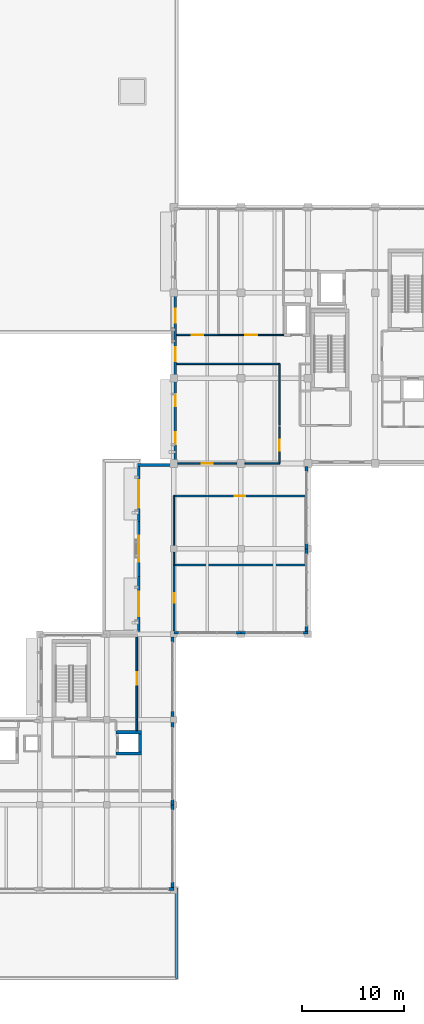
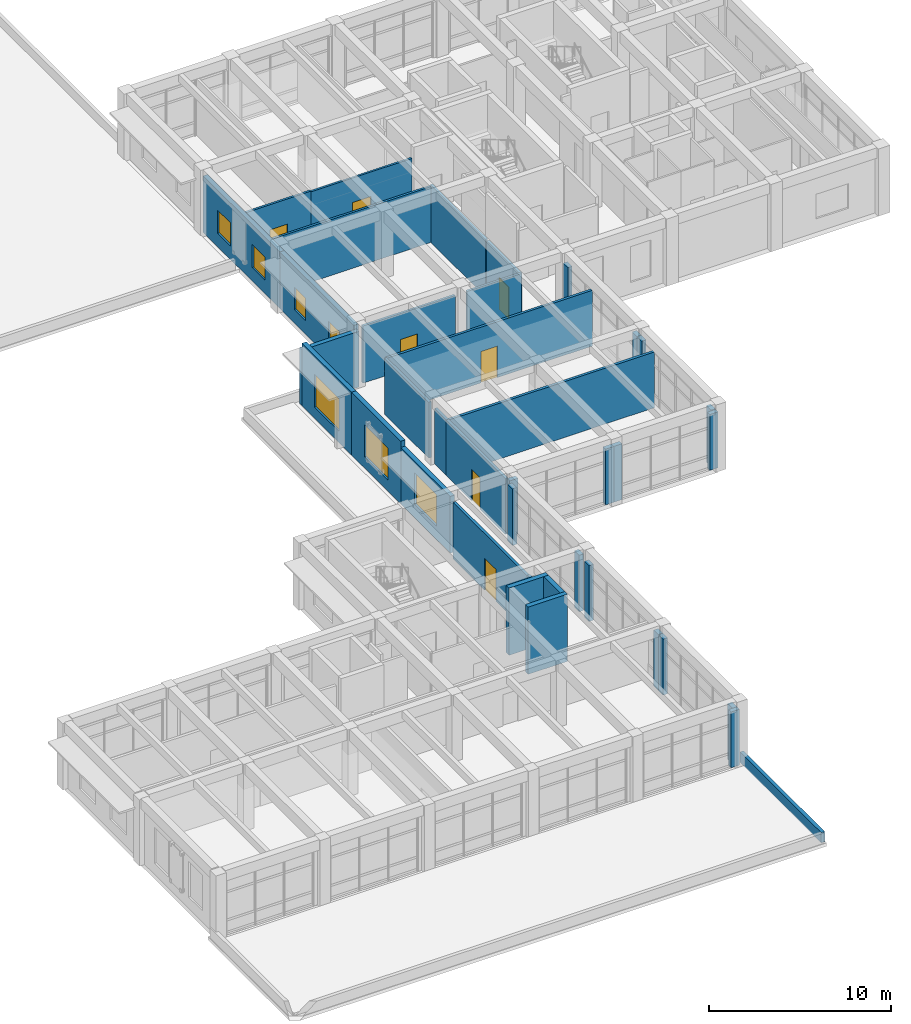
# One storey, part 32 of 50: 39 walls, 7 doors, 7 windows, 14 openings.
"""IFC4 building model written with IfcOpenShell, lengths in metres."""

from ifc_helpers import new_model, si_unit, direction, frame, frame_2d, origin, place, context, subcontext, project, spatial, rectangle, extrude, material, layer, layer_set, type_object, element, fill, save


model = new_model("IFC4")

# Units and contexts
model_context = context("Model", 3, precision=1e-05, world=origin(), true_north=direction((0.0, 1.0)))
body_context = subcontext(model_context, "Body", "Model", "MODEL_VIEW")
ifc_project = project(units=[si_unit("LENGTHUNIT", "METRE"), si_unit("AREAUNIT", "SQUARE_METRE"), si_unit("VOLUMEUNIT", "CUBIC_METRE"), si_unit("PLANEANGLEUNIT", "RADIAN"), si_unit("MASSUNIT", "GRAM", prefix="KILO")], contexts=[model_context])

# Site, building, storey
site_placement = place(None, origin())
site = spatial("IfcSite", under=ifc_project, at=site_placement, CompositionType="ELEMENT")
building_placement = place(site_placement, origin())
building = spatial("IfcBuilding", under=site, at=building_placement, Name="Kolvaren Faculty of Natural Sciences", CompositionType="ELEMENT")
storey_placement = place(building_placement, frame((0.0, 0.0, 15.0)))
storey = spatial("IfcBuildingStorey", under=building, at=storey_placement, Name="L03", CompositionType="ELEMENT", Elevation=15.0)

# Wall, opening, door
ifc_material_1 = material(Name="Acoustic mineral-wool insulated gypsum partition")
ifc_layer_1 = layer(ifc_material_1, 0.159912109375)
ifc_layer_set_1 = layer_set([ifc_layer_1], Name="Acoustic mineral-wool insulated gypsum partition")
wall_type_1 = type_object("IfcWallType", Name="ClassroomPartitionWall_160", PredefinedType="PARTITIONING", material=ifc_layer_set_1)
wall_1_placement = place(storey_placement, frame((138.800048828125, 55.800048828125, 0.0), z_axis=(0.0, 0.0, 1.0), x_axis=(1.0, 0.0, 0.0)))
wall_1 = element("IfcWall", 1, at=wall_1_placement, inside=storey, type_object=wall_type_1, Name="L03 interior partition PW-160", PredefinedType="PARTITIONING", context=body_context, shape_type="SweptSolid", body=[
    extrude(rectangle(XDim=13.0400390625, YDim=0.159912109375, at=frame_2d((6.52001953125, 0.0))), origin(), (0.0, 0.0, 1.0), 3.735107421875),
])
opening_1_placement = place(wall_1_placement, frame((6.0048828125, 0.0, 0.0)))
opening_1 = element("IfcOpeningElement", 2, at=opening_1_placement, cuts=wall_1, Name="Opening ID-15", PredefinedType="OPENING", context=body_context, shape_type="SweptSolid", body=[
    extrude(rectangle(XDim=1.030029296875, YDim=2.10009765625, at=frame_2d((0.51513671875, 1.050048828125))), frame((0.0, 0.08984375, 0.0), z_axis=(0.0, -1.0, 0.0), x_axis=(1.0, 0.0, 0.0)), (0.0, 0.0, 1.0), 0.179931640625),
])
ifc_material_2 = material(Name="Solid-core hardwood veneer door leaf in steel frame", Category="steel")
door_type_1 = type_object("IfcDoorType", Name="InteriorRoomDoor_1030x2100", OperationType="NOTDEFINED", PredefinedType="DOOR", material=ifc_material_2)
door_1_placement = place(opening_1_placement, origin())
door_1 = element("IfcDoor", 3, at=door_1_placement, inside=storey, type_object=door_type_1, Name="D-L03-0249", OperationType="SINGLE_SWING_RIGHT", OverallHeight=2.10009765625, OverallWidth=1.030029296875, PredefinedType="DOOR", context=body_context, shape_type="SweptSolid", body=[
    extrude(rectangle(XDim=1.030029296875, YDim=2.10009765625, at=frame_2d((0.51513671875, 1.050048828125))), frame((0.0, 0.02490234375, 0.0), z_axis=(0.0, -1.0, 0.0), x_axis=(1.0, 0.0, 0.0)), (0.0, 0.0, 1.0), 0.050048828125),
])
fill(opening_1, door_1)

# Walls
wall_2_placement = place(storey_placement, frame((138.800048828125, 49.0, 0.0), z_axis=(0.0, 0.0, 1.0), x_axis=(0.0, 1.0, 0.0)))
element("IfcWall", 4, at=wall_2_placement, inside=storey, type_object=wall_type_1, Name="L03 interior partition PW-160", PredefinedType="PARTITIONING", context=body_context, shape_type="SweptSolid", body=[
    extrude(rectangle(XDim=1.27490234375, YDim=0.159912109375, at=frame_2d((0.637451171875, 0.0))), origin(), (0.0, 0.0, 1.0), 3.735107421875),
])
wall_3_placement = place(storey_placement, frame((138.800048828125, 50.925048828125, 0.0), z_axis=(0.0, 0.0, 1.0), x_axis=(0.0, 1.0, 0.0)))
element("IfcWall", 5, at=wall_3_placement, inside=storey, type_object=wall_type_1, Name="L03 interior partition PW-160", PredefinedType="PARTITIONING", context=body_context, shape_type="SweptSolid", body=[
    extrude(rectangle(XDim=4.875, YDim=0.159912109375, at=frame_2d((2.4375, 0.0))), origin(), (0.0, 0.0, 1.0), 3.735107421875),
])

# Wall, opening, door
ifc_layer_2 = layer(ifc_material_1, 0.139892578125)
ifc_layer_set_2 = layer_set([ifc_layer_2], Name="Acoustic mineral-wool insulated gypsum partition")
wall_type_2 = type_object("IfcWallType", Name="CommonsPartitionWall_140", PredefinedType="PARTITIONING", material=ifc_layer_set_2)
wall_4_placement = place(storey_placement, frame((143.199951171875, 71.64990234375, 0.0), z_axis=(0.0, 0.0, 1.0), x_axis=(-1.0, 0.0, 0.0)))
wall_4 = element("IfcWall", 6, at=wall_4_placement, inside=storey, type_object=wall_type_2, Name="L03 interior partition PW-140", PredefinedType="PARTITIONING", context=body_context, shape_type="SweptSolid", body=[
    extrude(rectangle(XDim=4.117919921875, YDim=0.139892578125, at=frame_2d((2.05908203125, 0.0))), origin(), (0.0, 0.0, 1.0), 3.784912109375),
])
opening_2_placement = place(wall_4_placement, frame((1.4990234375, 0.0, 0.0)))
opening_2 = element("IfcOpeningElement", 7, at=opening_2_placement, cuts=wall_4, Name="Opening ID-17", PredefinedType="OPENING", context=body_context, shape_type="SweptSolid", body=[
    extrude(rectangle(XDim=1.1201171875, YDim=2.10009765625, at=frame_2d((0.56005859375, 1.050048828125))), frame((0.0, 0.079833984375, 0.0), z_axis=(0.0, -1.0, 0.0), x_axis=(1.0, 0.0, 0.0)), (0.0, 0.0, 1.0), 0.159912109375),
])
door_type_2 = type_object("IfcDoorType", Name="InteriorRoomDoor_1120x2100", OperationType="NOTDEFINED", PredefinedType="DOOR", material=ifc_material_2)
door_2_placement = place(opening_2_placement, origin())
door_2 = element("IfcDoor", 8, at=door_2_placement, inside=storey, type_object=door_type_2, Name="D-L03-0252", OperationType="SINGLE_SWING_LEFT", OverallHeight=2.10009765625, OverallWidth=1.1201171875, PredefinedType="DOOR", context=body_context, shape_type="SweptSolid", body=[
    extrude(rectangle(XDim=1.1201171875, YDim=2.10009765625, at=frame_2d((0.56005859375, 1.050048828125))), frame((0.0, 0.02490234375, 0.0), z_axis=(0.0, -1.0, 0.0), x_axis=(1.0, 0.0, 0.0)), (0.0, 0.0, 1.0), 0.050048828125),
])
fill(opening_2, door_2)

ifc_layer_3 = layer(ifc_material_1, 0.14501953125)
ifc_layer_set_3 = layer_set([ifc_layer_3], Name="Acoustic mineral-wool insulated gypsum partition")
wall_type_3 = type_object("IfcWallType", Name="CommonsPartitionWall_145", PredefinedType="PARTITIONING", material=ifc_layer_set_3)
wall_5_placement = place(storey_placement, frame((149.199951171875, 62.60009765625, 0.0), z_axis=(0.0, 0.0, 1.0), x_axis=(0.0, -1.0, 0.0)))
wall_5 = element("IfcWall", 9, at=wall_5_placement, inside=storey, type_object=wall_type_3, Name="L03 interior partition PW-145", PredefinedType="PARTITIONING", context=body_context, shape_type="SweptSolid", body=[
    extrude(rectangle(XDim=3.60009765625, YDim=0.14501953125, at=frame_2d((1.800048828125, 0.0))), origin(), (0.0, 0.0, 1.0), 3.8349609375),
])
opening_3_placement = place(wall_5_placement, frame((1.264892578125, 0.0, 0.0)))
opening_3 = element("IfcOpeningElement", 10, at=opening_3_placement, cuts=wall_5, Name="Opening ID-16", PredefinedType="OPENING", context=body_context, shape_type="SweptSolid", body=[
    extrude(rectangle(XDim=1.070068359375, YDim=2.10009765625, at=frame_2d((0.53515625, 1.050048828125))), frame((0.0, 0.08251953125, 0.0), z_axis=(0.0, -1.0, 0.0), x_axis=(1.0, 0.0, 0.0)), (0.0, 0.0, 1.0), 0.1650390625),
])
door_type_3 = type_object("IfcDoorType", Name="InteriorRoomDoor_1070x2100", OperationType="NOTDEFINED", PredefinedType="DOOR", material=ifc_material_2)
door_3_placement = place(opening_3_placement, origin())
door_3 = element("IfcDoor", 11, at=door_3_placement, inside=storey, type_object=door_type_3, Name="D-L03-0251", OperationType="SINGLE_SWING_RIGHT", OverallHeight=2.10009765625, OverallWidth=1.070068359375, PredefinedType="DOOR", context=body_context, shape_type="SweptSolid", body=[
    extrude(rectangle(XDim=1.070068359375, YDim=2.10009765625, at=frame_2d((0.53515625, 1.050048828125))), frame((0.0, 0.02490234375, 0.0), z_axis=(0.0, -1.0, 0.0), x_axis=(1.0, 0.0, 0.0)), (0.0, 0.0, 1.0), 0.050048828125),
])
fill(opening_3, door_3)

# Wall
wall_6_placement = place(storey_placement, frame((149.199951171875, 59.0, 0.0), z_axis=(0.0, 0.0, 1.0), x_axis=(-1.0, 0.0, 0.0)))
element("IfcWall", 12, at=wall_6_placement, inside=storey, type_object=wall_type_3, Name="L03 interior partition PW-145", PredefinedType="PARTITIONING", context=body_context, shape_type="SweptSolid", body=[
    extrude(rectangle(XDim=3.425048828125, YDim=0.14501953125, at=frame_2d((1.71240234375, 0.0))), origin(), (0.0, 0.0, 1.0), 3.8349609375),
])

# Wall, opening, door
wall_7_placement = place(storey_placement, frame((145.02490234375, 59.0, 0.0), z_axis=(0.0, 0.0, 1.0), x_axis=(-1.0, 0.0, 0.0)))
wall_7 = element("IfcWall", 13, at=wall_7_placement, inside=storey, type_object=wall_type_3, Name="L03 interior partition PW-145", PredefinedType="PARTITIONING", context=body_context, shape_type="SweptSolid", body=[
    extrude(rectangle(XDim=5.849853515625, YDim=0.14501953125, at=frame_2d((2.9248046875, 0.0))), origin(), (0.0, 0.0, 1.0), 3.8349609375),
])
opening_4_placement = place(wall_7_placement, frame((2.389892578125, 0.0, 0.0)))
opening_4 = element("IfcOpeningElement", 14, at=opening_4_placement, cuts=wall_7, Name="Opening ID-16", PredefinedType="OPENING", context=body_context, shape_type="SweptSolid", body=[
    extrude(rectangle(XDim=1.070068359375, YDim=2.10009765625, at=frame_2d((0.53515625, 1.050048828125))), frame((0.0, 0.08251953125, 0.0), z_axis=(0.0, -1.0, 0.0), x_axis=(1.0, 0.0, 0.0)), (0.0, 0.0, 1.0), 0.1650390625),
])
door_4_placement = place(opening_4_placement, origin())
door_4 = element("IfcDoor", 15, at=door_4_placement, inside=storey, type_object=door_type_3, Name="D-L03-0250", OperationType="SINGLE_SWING_LEFT", OverallHeight=2.10009765625, OverallWidth=1.070068359375, PredefinedType="DOOR", context=body_context, shape_type="SweptSolid", body=[
    extrude(rectangle(XDim=1.070068359375, YDim=2.10009765625, at=frame_2d((0.53515625, 1.050048828125))), frame((0.0, 0.02490234375, 0.0), z_axis=(0.0, -1.0, 0.0), x_axis=(1.0, 0.0, 0.0)), (0.0, 0.0, 1.0), 0.050048828125),
])
fill(opening_4, door_4)

# Walls
wall_8_placement = place(storey_placement, frame((139.08203125, 68.800048828125, 0.0), z_axis=(0.0, 0.0, 1.0), x_axis=(1.0, 0.0, 0.0)))
element("IfcWall", 16, at=wall_8_placement, inside=storey, type_object=wall_type_3, Name="L03 interior partition PW-145", PredefinedType="PARTITIONING", context=body_context, shape_type="SweptSolid", body=[
    extrude(rectangle(XDim=10.117919921875, YDim=0.14501953125, at=frame_2d((5.05908203125, 0.0))), origin(), (0.0, 0.0, 1.0), 3.735107421875),
])
wall_9_placement = place(storey_placement, frame((149.199951171875, 68.800048828125, 0.0), z_axis=(0.0, 0.0, 1.0), x_axis=(0.0, -1.0, 0.0)))
element("IfcWall", 17, at=wall_9_placement, inside=storey, type_object=wall_type_3, Name="L03 interior partition PW-145", PredefinedType="PARTITIONING", context=body_context, shape_type="SweptSolid", body=[
    extrude(rectangle(XDim=6.050048828125, YDim=0.14501953125, at=frame_2d((3.02490234375, 0.0))), origin(), (0.0, 0.0, 1.0), 3.8349609375),
])

# Wall, opening, window
ifc_material_3 = material(Name="Precast concrete C35/45", Category="concrete")
ifc_layer_4 = layer(ifc_material_3, 0.280029296875)
ifc_layer_set_4 = layer_set([ifc_layer_4], Name="Precast concrete C35/45")
wall_type_4 = type_object("IfcWallType", Name="ExteriorPrecastWall_280", PredefinedType="STANDARD", material=ifc_layer_set_4)
wall_10_placement = place(storey_placement, frame((135.340087890625, 42.47998046875, 0.0), z_axis=(0.0, 0.0, 1.0), x_axis=(0.0, 1.0, 0.0)))
wall_10 = element("IfcWall", 18, at=wall_10_placement, inside=storey, type_object=wall_type_4, Name="L03 exterior masonry wall EW-280 (502)", PredefinedType="STANDARD", context=body_context, shape_type="SweptSolid", body=[
    extrude(rectangle(XDim=5.413330078125, YDim=0.280029296875, at=frame_2d((2.70654296875, 0.0))), origin(), (0.0, 0.0, 1.0), 3.784912109375),
])
opening_5_placement = place(wall_10_placement, frame((1.506591796875, 0.0, 0.89990234375)))
opening_5 = element("IfcOpeningElement", 19, at=opening_5_placement, cuts=wall_10, Name="Opening WIN-09", PredefinedType="OPENING", context=body_context, shape_type="SweptSolid", body=[
    extrude(rectangle(XDim=2.39990234375, YDim=2.10009765625, at=frame_2d((1.199951171875, 1.050048828125))), frame((0.0, 0.14990234375, 0.0), z_axis=(0.0, -1.0, 0.0), x_axis=(1.0, 0.0, 0.0)), (0.0, 0.0, 1.0), 0.300048828125),
])
ifc_material_4 = material(Name="Double low-E solar control insulated glazing", Category="glass")
window_type_1 = type_object("IfcWindowType", Name="AluWindow_WIN09_2400x2100", PartitioningType="SINGLE_PANEL", PredefinedType="WINDOW", material=ifc_material_4)
window_1_placement = place(opening_5_placement, origin())
window_1 = element("IfcWindow", 20, at=window_1_placement, inside=storey, type_object=window_type_1, Name="WIN-L03-0320", OverallHeight=2.10009765625, OverallWidth=2.39990234375, PartitioningType="SINGLE_PANEL", PredefinedType="WINDOW", context=body_context, shape_type="SweptSolid", body=[
    extrude(rectangle(XDim=2.39990234375, YDim=2.10009765625, at=frame_2d((1.199951171875, 1.050048828125))), frame((0.0, 0.030029296875, 0.0), z_axis=(0.0, -1.0, 0.0), x_axis=(1.0, 0.0, 0.0)), (0.0, 0.0, 1.0), 0.06005859375),
])
fill(opening_5, window_1)

wall_11_placement = place(storey_placement, frame((135.340087890625, 47.893310546875, 0.0), z_axis=(0.0, 0.0, 1.0), x_axis=(0.0, 1.0, 0.0)))
wall_11 = element("IfcWall", 21, at=wall_11_placement, inside=storey, type_object=wall_type_4, Name="L03 exterior masonry wall EW-280 (503)", PredefinedType="STANDARD", context=body_context, shape_type="SweptSolid", body=[
    extrude(rectangle(XDim=5.413330078125, YDim=0.280029296875, at=frame_2d((2.70654296875, 0.0))), origin(), (0.0, 0.0, 1.0), 4.199951171875),
])
opening_6_placement = place(wall_11_placement, frame((1.431640625, 0.0, 0.75)))
opening_6 = element("IfcOpeningElement", 22, at=opening_6_placement, cuts=wall_11, Name="Opening WIN-10", PredefinedType="OPENING", context=body_context, shape_type="SweptSolid", body=[
    extrude(rectangle(XDim=2.550048828125, YDim=2.14990234375, at=frame_2d((1.27490234375, 1.074951171875))), frame((0.0, 0.14990234375, 0.0), z_axis=(0.0, -1.0, 0.0), x_axis=(1.0, 0.0, 0.0)), (0.0, 0.0, 1.0), 0.300048828125),
])
window_type_2 = type_object("IfcWindowType", Name="AluWindow_WIN10_2550x2150", PartitioningType="SINGLE_PANEL", PredefinedType="WINDOW", material=ifc_material_4)
window_2_placement = place(opening_6_placement, origin())
window_2 = element("IfcWindow", 23, at=window_2_placement, inside=storey, type_object=window_type_2, Name="WIN-L03-0321", OverallHeight=2.14990234375, OverallWidth=2.550048828125, PartitioningType="SINGLE_PANEL", PredefinedType="WINDOW", context=body_context, shape_type="SweptSolid", body=[
    extrude(rectangle(XDim=2.550048828125, YDim=2.14990234375, at=frame_2d((1.27490234375, 1.074951171875))), frame((0.0, 0.030029296875, 0.0), z_axis=(0.0, -1.0, 0.0), x_axis=(1.0, 0.0, 0.0)), (0.0, 0.0, 1.0), 0.06005859375),
])
fill(opening_6, window_2)

wall_12_placement = place(storey_placement, frame((135.340087890625, 53.306640625, 0.0), z_axis=(0.0, 0.0, 1.0), x_axis=(0.0, 1.0, 0.0)))
wall_12 = element("IfcWall", 24, at=wall_12_placement, inside=storey, type_object=wall_type_4, Name="L03 exterior masonry wall EW-280 (504)", PredefinedType="STANDARD", context=body_context, shape_type="SweptSolid", body=[
    extrude(rectangle(XDim=5.413330078125, YDim=0.280029296875, at=frame_2d((2.70654296875, 0.0))), origin(), (0.0, 0.0, 1.0), 4.199951171875),
])
opening_7_placement = place(wall_12_placement, frame((1.356689453125, 0.0, 0.75)))
opening_7 = element("IfcOpeningElement", 25, at=opening_7_placement, cuts=wall_12, Name="Opening WIN-11", PredefinedType="OPENING", context=body_context, shape_type="SweptSolid", body=[
    extrude(rectangle(XDim=2.699951171875, YDim=2.199951171875, at=frame_2d((1.35009765625, 1.10009765625))), frame((0.0, 0.14990234375, 0.0), z_axis=(0.0, -1.0, 0.0), x_axis=(1.0, 0.0, 0.0)), (0.0, 0.0, 1.0), 0.300048828125),
])
window_type_3 = type_object("IfcWindowType", Name="AluWindow_WIN11_2700x2200", PartitioningType="SINGLE_PANEL", PredefinedType="WINDOW", material=ifc_material_4)
window_3_placement = place(opening_7_placement, origin())
window_3 = element("IfcWindow", 26, at=window_3_placement, inside=storey, type_object=window_type_3, Name="WIN-L03-0322", OverallHeight=2.199951171875, OverallWidth=2.699951171875, PartitioningType="SINGLE_PANEL", PredefinedType="WINDOW", context=body_context, shape_type="SweptSolid", body=[
    extrude(rectangle(XDim=2.699951171875, YDim=2.199951171875, at=frame_2d((1.35009765625, 1.10009765625))), frame((0.0, 0.030029296875, 0.0), z_axis=(0.0, -1.0, 0.0), x_axis=(1.0, 0.0, 0.0)), (0.0, 0.0, 1.0), 0.06005859375),
])
fill(opening_7, window_3)

# Wall
wall_13_placement = place(storey_placement, frame((135.199951171875, 58.860107421875, 0.0), z_axis=(0.0, 0.0, 1.0), x_axis=(1.0, 0.0, 0.0)))
element("IfcWall", 27, at=wall_13_placement, inside=storey, type_object=wall_type_4, Name="L03 exterior masonry wall EW-280 (505)", PredefinedType="STANDARD", context=body_context, shape_type="SweptSolid", body=[
    extrude(rectangle(XDim=3.60009765625, YDim=0.280029296875, at=frame_2d((1.800048828125, 0.0))), origin(), (0.0, 0.0, 1.0), 3.735107421875),
])

# Wall, openings, windows
wall_14_placement = place(storey_placement, frame((138.93994140625, 59.280029296875, 0.0), z_axis=(0.0, 0.0, 1.0), x_axis=(0.0, 1.0, 0.0)))
wall_14 = element("IfcWall", 28, at=wall_14_placement, inside=storey, type_object=wall_type_4, Name="L03 exterior masonry wall EW-280 (506)", PredefinedType="STANDARD", context=body_context, shape_type="SweptSolid", body=[
    extrude(rectangle(XDim=8.119873046875, YDim=0.280029296875, at=frame_2d((4.06005859375, 0.0))), origin(), (0.0, 0.0, 1.0), 3.784912109375),
])
opening_8_placement = place(wall_14_placement, frame((1.59228515625, 0.0, 0.89990234375)))
opening_8 = element("IfcOpeningElement", 29, at=opening_8_placement, cuts=wall_14, Name="Opening WIN-13", PredefinedType="OPENING", context=body_context, shape_type="SweptSolid", body=[
    extrude(rectangle(XDim=1.199951171875, YDim=1.5, at=frame_2d((0.60009765625, 0.75))), frame((0.0, 0.14990234375, 0.0), z_axis=(0.0, -1.0, 0.0), x_axis=(1.0, 0.0, 0.0)), (0.0, 0.0, 1.0), 0.300048828125),
])
opening_9_placement = place(wall_14_placement, frame((5.32763671875, 0.0, 0.89990234375)))
opening_9 = element("IfcOpeningElement", 30, at=opening_9_placement, cuts=wall_14, Name="Opening WIN-13", PredefinedType="OPENING", context=body_context, shape_type="SweptSolid", body=[
    extrude(rectangle(XDim=1.199951171875, YDim=1.5, at=frame_2d((0.60009765625, 0.75))), frame((0.0, 0.14990234375, 0.0), z_axis=(0.0, -1.0, 0.0), x_axis=(1.0, 0.0, 0.0)), (0.0, 0.0, 1.0), 0.300048828125),
])
window_type_4 = type_object("IfcWindowType", Name="AluWindow_WIN13_1200x1500", PartitioningType="SINGLE_PANEL", PredefinedType="WINDOW", material=ifc_material_4)
window_4_placement = place(opening_8_placement, origin())
window_4 = element("IfcWindow", 31, at=window_4_placement, inside=storey, type_object=window_type_4, Name="WIN-L03-0323", OverallHeight=1.5, OverallWidth=1.199951171875, PartitioningType="SINGLE_PANEL", PredefinedType="WINDOW", context=body_context, shape_type="SweptSolid", body=[
    extrude(rectangle(XDim=1.199951171875, YDim=1.5, at=frame_2d((0.60009765625, 0.75))), frame((0.0, 0.030029296875, 0.0), z_axis=(0.0, -1.0, 0.0), x_axis=(1.0, 0.0, 0.0)), (0.0, 0.0, 1.0), 0.06005859375),
])
fill(opening_8, window_4)
window_5_placement = place(opening_9_placement, origin())
window_5 = element("IfcWindow", 32, at=window_5_placement, inside=storey, type_object=window_type_4, Name="WIN-L03-0324", OverallHeight=1.5, OverallWidth=1.199951171875, PartitioningType="SINGLE_PANEL", PredefinedType="WINDOW", context=body_context, shape_type="SweptSolid", body=[
    extrude(rectangle(XDim=1.199951171875, YDim=1.5, at=frame_2d((0.60009765625, 0.75))), frame((0.0, 0.030029296875, 0.0), z_axis=(0.0, -1.0, 0.0), x_axis=(1.0, 0.0, 0.0)), (0.0, 0.0, 1.0), 0.06005859375),
])
fill(opening_9, window_5)

wall_15_placement = place(storey_placement, frame((138.93994140625, 67.39990234375, 0.0), z_axis=(0.0, 0.0, 1.0), x_axis=(0.0, 1.0, 0.0)))
wall_15 = element("IfcWall", 33, at=wall_15_placement, inside=storey, type_object=wall_type_4, Name="L03 exterior masonry wall EW-280 (507)", PredefinedType="STANDARD", context=body_context, shape_type="SweptSolid", body=[
    extrude(rectangle(XDim=8.400146484375, YDim=0.280029296875, at=frame_2d((4.2001953125, 0.0))), origin(), (0.0, 0.0, 1.0), 3.784912109375),
])
opening_10_placement = place(wall_15_placement, frame((1.639892578125, 0.0, 0.89990234375)))
opening_10 = element("IfcOpeningElement", 34, at=opening_10_placement, cuts=wall_15, Name="Opening WIN-14", PredefinedType="OPENING", context=body_context, shape_type="SweptSolid", body=[
    extrude(rectangle(XDim=1.39990234375, YDim=1.550048828125, at=frame_2d((0.699951171875, 0.77490234375))), frame((0.0, 0.14990234375, 0.0), z_axis=(0.0, -1.0, 0.0), x_axis=(1.0, 0.0, 0.0)), (0.0, 0.0, 1.0), 0.300048828125),
])
opening_11_placement = place(wall_15_placement, frame((5.431884765625, 0.0, 0.89990234375)))
opening_11 = element("IfcOpeningElement", 35, at=opening_11_placement, cuts=wall_15, Name="Opening WIN-14", PredefinedType="OPENING", context=body_context, shape_type="SweptSolid", body=[
    extrude(rectangle(XDim=1.39990234375, YDim=1.550048828125, at=frame_2d((0.699951171875, 0.77490234375))), frame((0.0, 0.14990234375, 0.0), z_axis=(0.0, -1.0, 0.0), x_axis=(1.0, 0.0, 0.0)), (0.0, 0.0, 1.0), 0.300048828125),
])
window_type_5 = type_object("IfcWindowType", Name="AluWindow_WIN14_1400x1550", PartitioningType="SINGLE_PANEL", PredefinedType="WINDOW", material=ifc_material_4)
window_6_placement = place(opening_10_placement, origin())
window_6 = element("IfcWindow", 36, at=window_6_placement, inside=storey, type_object=window_type_5, Name="WIN-L03-0325", OverallHeight=1.550048828125, OverallWidth=1.39990234375, PartitioningType="SINGLE_PANEL", PredefinedType="WINDOW", context=body_context, shape_type="SweptSolid", body=[
    extrude(rectangle(XDim=1.39990234375, YDim=1.550048828125, at=frame_2d((0.699951171875, 0.77490234375))), frame((0.0, 0.030029296875, 0.0), z_axis=(0.0, -1.0, 0.0), x_axis=(1.0, 0.0, 0.0)), (0.0, 0.0, 1.0), 0.06005859375),
])
fill(opening_10, window_6)
window_7_placement = place(opening_11_placement, origin())
window_7 = element("IfcWindow", 37, at=window_7_placement, inside=storey, type_object=window_type_5, Name="WIN-L03-0326", OverallHeight=1.550048828125, OverallWidth=1.39990234375, PartitioningType="SINGLE_PANEL", PredefinedType="WINDOW", context=body_context, shape_type="SweptSolid", body=[
    extrude(rectangle(XDim=1.39990234375, YDim=1.550048828125, at=frame_2d((0.699951171875, 0.77490234375))), frame((0.0, 0.030029296875, 0.0), z_axis=(0.0, -1.0, 0.0), x_axis=(1.0, 0.0, 0.0)), (0.0, 0.0, 1.0), 0.06005859375),
])
fill(opening_11, window_7)

# Walls
for number, where, z_axis, x_axis, name in (
    (38, (151.860107421875, 58.719970703125, 0.0), (0.0, 0.0, 1.0), (0.0, -1.0, 0.0), "L03 curtain-wall pier stub 527"),
    (39, (151.860107421875, 51.1201171875, 0.0), (0.0, 0.0, 1.0), (0.0, -1.0, 0.0), "L03 curtain-wall pier stub 528"),
    (40, (151.860107421875, 50.60009765625, 0.0), (0.0, 0.0, 1.0), (0.0, -1.0, 0.0), "L03 curtain-wall pier stub 529"),
    (41, (151.860107421875, 43.0, 0.0), (0.0, 0.0, 1.0), (0.0, -1.0, 0.0), "L03 curtain-wall pier stub 530"),
):
    element("IfcWall", number, at=place(storey_placement, frame(where, z_axis=z_axis, x_axis=x_axis)), inside=storey, type_object=wall_type_4, Name=name, PredefinedType="STANDARD", context=body_context, shape_type="SweptSolid", body=[
        extrude(rectangle(XDim=0.52001953125, YDim=0.280029296875, at=frame_2d((0.260009765625, 0.0))), origin(), (0.0, 0.0, 1.0), 3.784912109375),
    ])
for number, where, z_axis, x_axis, name in (
    (42, (152.0, 42.340087890625, 0.0), (0.0, 0.0, 1.0), (-1.0, 0.0, 0.0), "L03 curtain-wall pier stub 531"),
    (43, (145.919921875, 42.340087890625, 0.0), (0.0, 0.0, 1.0), (-1.0, 0.0, 0.0), "L03 curtain-wall pier stub 532"),
    (44, (145.39990234375, 42.340087890625, 0.0), (0.0, 0.0, 1.0), (-1.0, 0.0, 0.0), "L03 curtain-wall pier stub 533"),
    (45, (139.320068359375, 42.340087890625, 0.0), (0.0, 0.0, 1.0), (-1.0, 0.0, 0.0), "L03 curtain-wall pier stub 534"),
):
    element("IfcWall", number, at=place(storey_placement, frame(where, z_axis=z_axis, x_axis=x_axis)), inside=storey, type_object=wall_type_4, Name=name, PredefinedType="STANDARD", context=body_context, shape_type="SweptSolid", body=[
        extrude(rectangle(XDim=0.52001953125, YDim=0.280029296875, at=frame_2d((0.260009765625, 0.0))), origin(), (0.0, 0.0, 1.0), 3.735107421875),
    ])
for number, where, z_axis, x_axis, name in (
    (46, (138.659912109375, 41.919921875, 0.0), (0.0, 0.0, 1.0), (0.0, -1.0, 0.0), "L03 curtain-wall pier stub 535"),
    (47, (138.659912109375, 34.60009765625, 0.0), (0.0, 0.0, 1.0), (0.0, -1.0, 0.0), "L03 curtain-wall pier stub 536"),
):
    element("IfcWall", number, at=place(storey_placement, frame(where, z_axis=z_axis, x_axis=x_axis)), inside=storey, type_object=wall_type_4, Name=name, PredefinedType="STANDARD", context=body_context, shape_type="SweptSolid", body=[
        extrude(rectangle(XDim=0.52001953125, YDim=0.280029296875, at=frame_2d((0.260009765625, 0.0))), origin(), (0.0, 0.0, 1.0), 3.784912109375),
    ])
for number, where, z_axis, x_axis, name in (
    (48, (138.659912109375, 33.52001953125, 0.0), (0.0, 0.0, 1.0), (0.0, -1.0, 0.0), "L03 curtain-wall pier stub 537"),
    (49, (138.659912109375, 25.919921875, 0.0), (0.0, 0.0, 1.0), (0.0, -1.0, 0.0), "L03 curtain-wall pier stub 538"),
    (50, (138.659912109375, 25.39990234375, 0.0), (0.0, 0.0, 1.0), (0.0, -1.0, 0.0), "L03 curtain-wall pier stub 539"),
    (51, (138.659912109375, 17.800048828125, 0.0), (0.0, 0.0, 1.0), (0.0, -1.0, 0.0), "L03 curtain-wall pier stub 540"),
    (52, (138.800048828125, 17.139892578125, 0.0), (0.0, 0.0, 1.0), (-1.0, 0.0, 0.0), "L03 curtain-wall pier stub 541"),
):
    element("IfcWall", number, at=place(storey_placement, frame(where, z_axis=z_axis, x_axis=x_axis)), inside=storey, type_object=wall_type_4, Name=name, PredefinedType="STANDARD", context=body_context, shape_type="SweptSolid", body=[
        extrude(rectangle(XDim=0.52001953125, YDim=0.280029296875, at=frame_2d((0.260009765625, 0.0))), origin(), (0.0, 0.0, 1.0), 3.735107421875),
    ])

# Wall, opening, door
ifc_layer_5 = layer(ifc_material_1, 0.1298828125)
ifc_layer_set_5 = layer_set([ifc_layer_5], Name="Acoustic mineral-wool insulated gypsum partition")
wall_type_5 = type_object("IfcWallType", Name="OfficePartitionWall_130", PredefinedType="PARTITIONING", material=ifc_layer_set_5)
wall_16_placement = place(storey_placement, frame((149.60009765625, 71.64990234375, 0.0), z_axis=(0.0, 0.0, 1.0), x_axis=(-1.0, 0.0, 0.0)))
wall_16 = element("IfcWall", 53, at=wall_16_placement, inside=storey, type_object=wall_type_5, Name="L03 interior partition PW-130", PredefinedType="PARTITIONING", context=body_context, shape_type="SweptSolid", body=[
    extrude(rectangle(XDim=6.400146484375, YDim=0.1298828125, at=frame_2d((3.2001953125, 0.0))), origin(), (0.0, 0.0, 1.0), 3.735107421875),
])
opening_12_placement = place(wall_16_placement, frame((2.610107421875, 0.0, 0.0)))
opening_12 = element("IfcOpeningElement", 54, at=opening_12_placement, cuts=wall_16, Name="Opening ID-18", PredefinedType="OPENING", context=body_context, shape_type="SweptSolid", body=[
    extrude(rectangle(XDim=1.179931640625, YDim=2.10009765625, at=frame_2d((0.58984375, 1.050048828125))), frame((0.0, 0.074951171875, 0.0), z_axis=(0.0, -1.0, 0.0), x_axis=(1.0, 0.0, 0.0)), (0.0, 0.0, 1.0), 0.14990234375),
])
door_type_4 = type_object("IfcDoorType", Name="InteriorRoomDoor_1180x2100", OperationType="NOTDEFINED", PredefinedType="DOOR", material=ifc_material_2)
door_5_placement = place(opening_12_placement, origin())
door_5 = element("IfcDoor", 55, at=door_5_placement, inside=storey, type_object=door_type_4, Name="D-L03-0253", OperationType="SINGLE_SWING_RIGHT", OverallHeight=2.10009765625, OverallWidth=1.179931640625, PredefinedType="DOOR", context=body_context, shape_type="SweptSolid", body=[
    extrude(rectangle(XDim=1.179931640625, YDim=2.10009765625, at=frame_2d((0.58984375, 1.050048828125))), frame((0.0, 0.02490234375, 0.0), z_axis=(0.0, -1.0, 0.0), x_axis=(1.0, 0.0, 0.0)), (0.0, 0.0, 1.0), 0.050048828125),
])
fill(opening_12, door_5)

# Wall
ifc_layer_6 = layer(ifc_material_3, 0.219970703125)
ifc_layer_set_6 = layer_set([ifc_layer_6], Name="Precast concrete C35/45")
wall_type_6 = type_object("IfcWallType", Name="ParapetUpstandWall_220", PredefinedType="PARAPET", material=ifc_layer_set_6)
wall_17_placement = place(storey_placement, frame((139.080078125, 17.22998046875, 0.0), z_axis=(0.0, 0.0, 1.0), x_axis=(0.0, -1.0, 0.0)))
element("IfcWall", 56, at=wall_17_placement, inside=storey, type_object=wall_type_6, Name="L03 architectural sandstone roof parapet 38", PredefinedType="PARAPET", context=body_context, shape_type="SweptSolid", body=[
    extrude(rectangle(XDim=8.909912109375, YDim=0.219970703125, at=frame_2d((4.455078125, 0.0))), origin(), (0.0, 0.0, 1.0), 0.679931640625),
])

# Wall, opening, door
ifc_layer_7 = layer(ifc_material_1, 0.169921875)
ifc_layer_set_7 = layer_set([ifc_layer_7], Name="Acoustic mineral-wool insulated gypsum partition")
wall_type_7 = type_object("IfcWallType", Name="SeminarPartitionWall_170", PredefinedType="PARTITIONING", material=ifc_layer_set_7)
wall_18_placement = place(storey_placement, frame((138.800048828125, 42.52490234375, 0.0), z_axis=(0.0, 0.0, 1.0), x_axis=(0.0, 1.0, 0.0)))
wall_18 = element("IfcWall", 57, at=wall_18_placement, inside=storey, type_object=wall_type_7, Name="L03 interior partition PW-170", PredefinedType="PARTITIONING", context=body_context, shape_type="SweptSolid", body=[
    extrude(rectangle(XDim=6.47509765625, YDim=0.169921875, at=frame_2d((3.237548828125, 0.0))), origin(), (0.0, 0.0, 1.0), 3.735107421875),
])
opening_13_placement = place(wall_18_placement, frame((2.75244140625, 0.0, 0.0)))
opening_13 = element("IfcOpeningElement", 58, at=opening_13_placement, cuts=wall_18, Name="Opening ID-14", PredefinedType="OPENING", context=body_context, shape_type="SweptSolid", body=[
    extrude(rectangle(XDim=0.969970703125, YDim=2.10009765625, at=frame_2d((0.48486328125, 1.050048828125))), frame((0.0, 0.094970703125, 0.0), z_axis=(0.0, -1.0, 0.0), x_axis=(1.0, 0.0, 0.0)), (0.0, 0.0, 1.0), 0.18994140625),
])
door_type_5 = type_object("IfcDoorType", Name="InteriorRoomDoor_970x2100", OperationType="NOTDEFINED", PredefinedType="DOOR", material=ifc_material_2)
door_6_placement = place(opening_13_placement, origin())
door_6 = element("IfcDoor", 59, at=door_6_placement, inside=storey, type_object=door_type_5, Name="D-L03-0248", OperationType="SINGLE_SWING_LEFT", OverallHeight=2.10009765625, OverallWidth=0.969970703125, PredefinedType="DOOR", context=body_context, shape_type="SweptSolid", body=[
    extrude(rectangle(XDim=0.969970703125, YDim=2.10009765625, at=frame_2d((0.48486328125, 1.050048828125))), frame((0.0, 0.02490234375, 0.0), z_axis=(0.0, -1.0, 0.0), x_axis=(1.0, 0.0, 0.0)), (0.0, 0.0, 1.0), 0.050048828125),
])
fill(opening_13, door_6)

# Wall
wall_19_placement = place(storey_placement, frame((138.800048828125, 49.0, 0.0), z_axis=(0.0, 0.0, 1.0), x_axis=(1.0, 0.0, 0.0)))
element("IfcWall", 60, at=wall_19_placement, inside=storey, type_object=wall_type_7, Name="L03 interior partition PW-170", PredefinedType="PARTITIONING", context=body_context, shape_type="SweptSolid", body=[
    extrude(rectangle(XDim=13.0400390625, YDim=0.169921875, at=frame_2d((6.52001953125, 0.0))), origin(), (0.0, 0.0, 1.0), 3.735107421875),
])

# Wall, opening, door
wall_20_placement = place(storey_placement, frame((135.14990234375, 41.91796875, 0.0), z_axis=(0.0, 0.0, 1.0), x_axis=(0.0, -1.0, 0.0)))
wall_20 = element("IfcWall", 61, at=wall_20_placement, inside=storey, type_object=wall_type_7, Name="L03 interior partition PW-170", PredefinedType="PARTITIONING", context=body_context, shape_type="SweptSolid", body=[
    extrude(rectangle(XDim=8.117919921875, YDim=0.169921875, at=frame_2d((4.05908203125, 0.0))), origin(), (0.0, 0.0, 1.0), 3.784912109375),
])
opening_14_placement = place(wall_20_placement, frame((3.43896484375, 0.0, 0.0)))
opening_14 = element("IfcOpeningElement", 62, at=opening_14_placement, cuts=wall_20, Name="Opening ID-25", PredefinedType="OPENING", context=body_context, shape_type="SweptSolid", body=[
    extrude(rectangle(XDim=1.239990234375, YDim=2.139892578125, at=frame_2d((0.6201171875, 1.06982421875))), frame((0.0, 0.094970703125, 0.0), z_axis=(0.0, -1.0, 0.0), x_axis=(1.0, 0.0, 0.0)), (0.0, 0.0, 1.0), 0.18994140625),
])
door_type_6 = type_object("IfcDoorType", Name="InteriorRoomDoor_1240x2140", OperationType="NOTDEFINED", PredefinedType="DOOR", material=ifc_material_2)
door_7_placement = place(opening_14_placement, origin())
door_7 = element("IfcDoor", 63, at=door_7_placement, inside=storey, type_object=door_type_6, Name="D-L03-0260", OperationType="SINGLE_SWING_LEFT", OverallHeight=2.139892578125, OverallWidth=1.239990234375, PredefinedType="DOOR", context=body_context, shape_type="SweptSolid", body=[
    extrude(rectangle(XDim=1.239990234375, YDim=2.139892578125, at=frame_2d((0.6201171875, 1.06982421875))), frame((0.0, 0.02490234375, 0.0), z_axis=(0.0, -1.0, 0.0), x_axis=(1.0, 0.0, 0.0)), (0.0, 0.0, 1.0), 0.050048828125),
])
fill(opening_14, door_7)

# Walls
wall_21_placement = place(storey_placement, frame((135.14990234375, 33.800048828125, 0.0), z_axis=(0.0, 0.0, 1.0), x_axis=(0.0, -1.0, 0.0)))
element("IfcWall", 64, at=wall_21_placement, inside=storey, type_object=wall_type_7, Name="L03 interior partition PW-170", PredefinedType="PARTITIONING", context=body_context, shape_type="SweptSolid", body=[
    extrude(rectangle(XDim=1.09814453125, YDim=0.169921875, at=frame_2d((0.549072265625, 0.0))), origin(), (0.0, 0.0, 1.0), 3.8349609375),
])
ifc_material_5 = material(Name="Concrete C40/50", Category="concrete")
ifc_layer_8 = layer(ifc_material_5, 0.300048828125)
ifc_layer_set_8 = layer_set([ifc_layer_8], Name="Concrete C40/50")
wall_type_8 = type_object("IfcWallType", Name="ShaftShearWall_300", PredefinedType="SHEAR", material=ifc_layer_set_8)
for number, where, z_axis, x_axis, name in (
    (65, (133.10009765625, 30.449951171875, 0.0), (0.0, 0.0, 1.0), (1.0, 0.0, 0.0), "L03 lift PL-3 shaft wall S"),
    (66, (133.10009765625, 32.550048828125, 0.0), (0.0, 0.0, 1.0), (1.0, 0.0, 0.0), "L03 lift PL-3 shaft wall N"),
):
    element("IfcWall", number, at=place(storey_placement, frame(where, z_axis=z_axis, x_axis=x_axis)), inside=storey, type_object=wall_type_8, Name=name, PredefinedType="SHEAR", context=body_context, shape_type="SweptSolid", body=[
        extrude(rectangle(XDim=2.5, YDim=0.300048828125, at=frame_2d((1.25, 0.0))), origin(), (0.0, 0.0, 1.0), 4.5),
    ])
wall_22_placement = place(storey_placement, frame((135.449951171875, 30.60009765625, 0.0), z_axis=(0.0, 0.0, 1.0), x_axis=(0.0, 1.0, 0.0)))
element("IfcWall", 67, at=wall_22_placement, inside=storey, type_object=wall_type_8, Name="L03 lift PL-3 shaft wall E", PredefinedType="SHEAR", context=body_context, shape_type="SweptSolid", body=[
    extrude(rectangle(XDim=1.7998046875, YDim=0.300048828125, at=frame_2d((0.89990234375, 0.0))), origin(), (0.0, 0.0, 1.0), 4.5),
])

save(model, "model.ifc")
